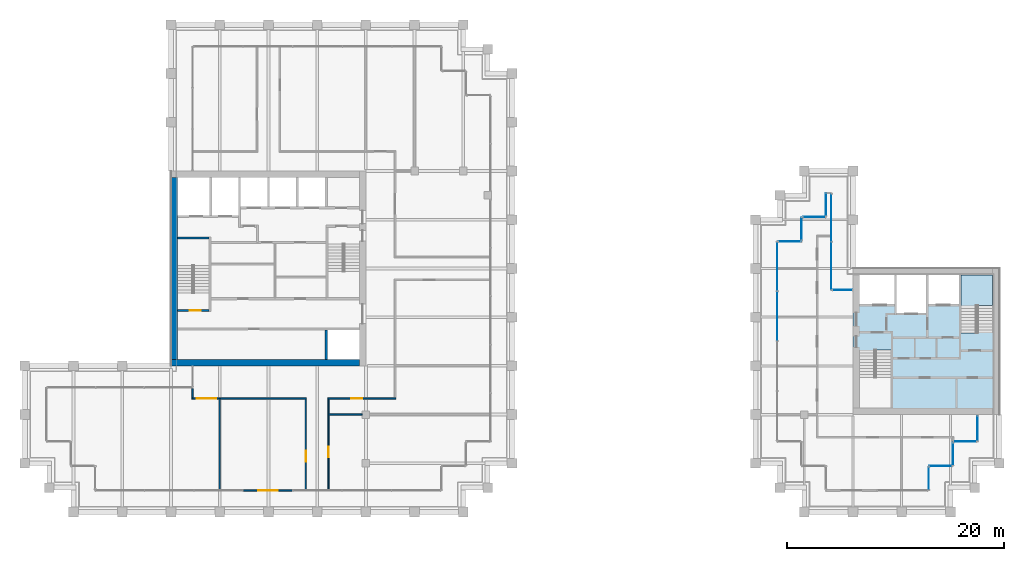
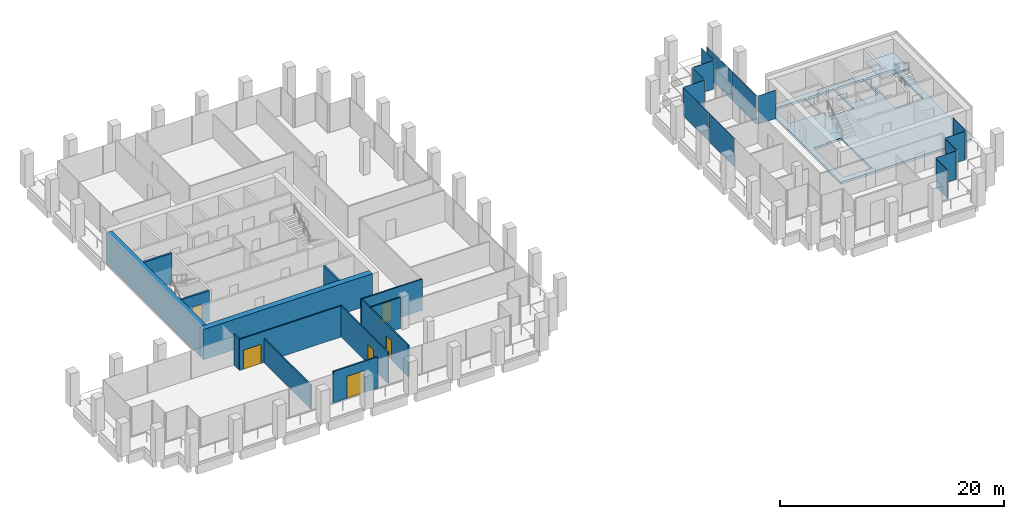
# One storey, part 35 of 40: 14 plates, 13 walls, 6 doors, 2 slabs, 6 openings, 13 elements without a shape of their own.
"""IFC4 building model written with IfcOpenShell, lengths in metres."""

import ifcopenshell
import ifcopenshell.guid

model = None  # the IFC model being written
_history = None  # IfcOwnerHistory: only IFC2X3 demands one
_inside = {}  # id of a spatial element -> (the spatial element, [elements in it])
_under = {}  # id of a project, library or spatial element -> (it, [spatial elements below it])
_declared = {}  # id of a project -> (the project, [libraries it declares])
_typed = {}  # id of a type object -> (the type object, [elements of that type])
_made_of = {}  # id of a material, layer set ... -> (it, [elements and type objects made of it])


def new_model(schema):
    """Start an empty IFC model of exactly this schema.

    Asked for "IFC4X3", IfcOpenShell would pick the latest addendum, in which some entities
    have other attributes; the version numbers below select the first issue.
    IFC2X3 requires an IfcOwnerHistory on every rooted entity: one is made here for all.
    """
    global model, _history
    if schema == "IFC4X3":
        model = ifcopenshell.file(schema_version=(4, 3, 0, 0))
    else:
        model = ifcopenshell.file(schema=schema)
    _inside.clear()
    _under.clear()
    _declared.clear()
    _typed.clear()
    _made_of.clear()
    _history = None
    if model.schema == "IFC2X3":
        org = make("IfcOrganization", Name="unknown")
        user = make(
            "IfcPersonAndOrganization",
            ThePerson=make("IfcPerson", FamilyName="unknown"),
            TheOrganization=org,
        )
        app = make(
            "IfcApplication",
            ApplicationDeveloper=org,
            Version="unknown",
            ApplicationFullName="unknown",
            ApplicationIdentifier="unknown",
        )
        _history = make(
            "IfcOwnerHistory",
            OwningUser=user,
            OwningApplication=app,
            ChangeAction="ADDED",
            CreationDate=0,
        )
    return model


def make(cls, **values):
    """One entity of the class cls with the attributes given. An attribute that is None is left unset."""
    return model.create_entity(
        cls, **{name: value for name, value in values.items() if value is not None}
    )


def rooted(cls, **values):
    """An entity with a GlobalId (a new one), such as an element, a storey or a relation."""
    return make(cls, GlobalId=ifcopenshell.guid.new(), OwnerHistory=_history, **values)


def si_unit(unit_type, name, prefix=None):
    """IfcSIUnit, for example si_unit("LENGTHUNIT", "METRE", prefix="MILLI")."""
    return make("IfcSIUnit", UnitType=unit_type, Prefix=prefix, Name=name)


def assignment(units):
    """IfcUnitAssignment: the units of a project."""
    return None if units is None else make("IfcUnitAssignment", Units=units)


def point(xyz):
    """IfcCartesianPoint."""
    return None if xyz is None else make("IfcCartesianPoint", Coordinates=xyz)


def direction(xyz):
    """IfcDirection."""
    return None if xyz is None else make("IfcDirection", DirectionRatios=xyz)


def frame(location, z_axis=None, x_axis=None):
    """IfcAxis2Placement3D, a coordinate frame: its origin and axes. An axis left out is left unset."""
    return make(
        "IfcAxis2Placement3D",
        Location=point(location),
        Axis=direction(z_axis),
        RefDirection=direction(x_axis),
    )


def frame_2d(location, x_axis=None):
    """IfcAxis2Placement2D, a coordinate frame in the plane: its origin and x axis."""
    return make(
        "IfcAxis2Placement2D", Location=point(location), RefDirection=direction(x_axis)
    )


def origin():
    """The frame at (0, 0, 0) with its axes left unset."""
    return frame((0.0, 0.0, 0.0))


def origin_2d():
    """The frame at (0, 0) in the plane with its x axis left unset."""
    return frame_2d((0.0, 0.0))


def place(relative_to, where):
    """IfcLocalPlacement: puts the frame where relative to a parent placement (None: the world)."""
    return make(
        "IfcLocalPlacement", PlacementRelTo=relative_to, RelativePlacement=where
    )


def context(
    kind, dimensions, precision=None, world=None, true_north=None, identifier=None
):
    """IfcGeometricRepresentationContext, for example the 3D "Model" context."""
    return make(
        "IfcGeometricRepresentationContext",
        ContextIdentifier=identifier,
        ContextType=kind,
        CoordinateSpaceDimension=dimensions,
        Precision=precision,
        WorldCoordinateSystem=world,
        TrueNorth=true_north,
    )


def subcontext(parent, identifier, kind, view, scale=None):
    """IfcGeometricRepresentationSubContext, for example "Body" below "Model"."""
    return make(
        "IfcGeometricRepresentationSubContext",
        ContextIdentifier=identifier,
        ContextType=kind,
        ParentContext=parent,
        TargetScale=scale,
        TargetView=view,
    )


def project(units=None, contexts=None):
    """IfcProject with its units and contexts."""
    return rooted(
        "IfcProject",
        Name="project",
        RepresentationContexts=contexts,
        UnitsInContext=assignment(units),
    )


def spatial(cls, under=None, at=None, **own):
    """A site, building, storey or space (cls), placed at a placement, below another one or the project."""
    s = rooted(cls, ObjectPlacement=at, **own)
    if under is not None:
        _under.setdefault(under.id(), (under, []))[1].append(s)
    return s


def polyline(points):
    """IfcPolyline through the points."""
    return make("IfcPolyline", Points=[point(p) for p in points])


def profile(cls, at=None, kind="AREA", **sizes):
    """A parametric profile (cls). Its sizes go by their IFC names, for example OverallWidth=200.0."""
    return make(cls, ProfileType=kind, Position=at, **sizes)


def rectangle(**sizes):
    """IfcRectangleProfileDef."""
    return profile("IfcRectangleProfileDef", **sizes)


def outline(outer, holes=None, kind="AREA"):
    """IfcArbitraryClosedProfileDef: a profile drawn as a closed curve; with holes, ...WithVoids."""
    if holes is None:
        return make("IfcArbitraryClosedProfileDef", ProfileType=kind, OuterCurve=outer)
    return make(
        "IfcArbitraryProfileDefWithVoids",
        ProfileType=kind,
        OuterCurve=outer,
        InnerCurves=holes,
    )


def extrude(swept, where, along, depth):
    """IfcExtrudedAreaSolid: the profile swept, set in the frame where, extruded along a direction by depth."""
    return make(
        "IfcExtrudedAreaSolid",
        SweptArea=swept,
        Position=where,
        ExtrudedDirection=direction(along),
        Depth=depth,
    )


def shape(context_of_items, identifier, shape_type, items):
    """IfcShapeRepresentation: the items that make up one representation, for example the "Body"."""
    return make(
        "IfcShapeRepresentation",
        ContextOfItems=context_of_items,
        RepresentationIdentifier=identifier,
        RepresentationType=shape_type,
        Items=items,
    )


def material(Name=None, Category=None):
    """IfcMaterial."""
    return make("IfcMaterial", Name=Name, Category=Category)


def layer(
    of_material, thickness, ventilated=None, Name=None, Category=None, Priority=None
):
    """IfcMaterialLayer: one layer of a wall or slab, of a material (None: an air gap)."""
    return make(
        "IfcMaterialLayer",
        Material=of_material,
        LayerThickness=thickness,
        IsVentilated=ventilated,
        Name=Name,
        Category=Category,
        Priority=Priority,
    )


def layer_set(layers, Name=None):
    """IfcMaterialLayerSet."""
    return make("IfcMaterialLayerSet", MaterialLayers=layers, LayerSetName=Name)


def made_of(thing, what):
    """Note that an element or type object is made of a material, layer set ...; save() writes the relation."""
    if what is not None:
        _made_of.setdefault(what.id(), (what, []))[1].append(thing)
    return thing


def type_object(cls, material=None, **own):
    """A type object (cls), such as IfcWallType, which elements share."""
    return made_of(rooted(cls, **own), material)


def element(
    cls,
    number,
    at=None,
    inside=None,
    cuts=None,
    type_object=None,
    material=None,
    context=None,
    identifier="Body",
    shape_type=None,
    held_by="IfcProductDefinitionShape",
    body=None,
    shapes=None,
    **own,
):
    """One element of the class cls, such as IfcWall. Its Tag is "e" and its number.

    at: its placement. inside: the storey or other place that contains it. cuts: it is an
    opening in that element (IfcRelVoidsElement). A single representation is given by context,
    identifier, shape_type and body (its items); several are given by shapes. held_by: the class
    of the entity that holds the representations. save() writes the other relations.
    """
    e = rooted(cls, Tag="e%d" % number, ObjectPlacement=at, **own)
    if body is not None:
        shapes = [shape(context, identifier, shape_type, body)]
    if shapes is not None:
        e.Representation = make(held_by, Representations=shapes)
    if inside is not None:
        _inside.setdefault(inside.id(), (inside, []))[1].append(e)
    if cuts is not None:
        rooted(
            "IfcRelVoidsElement", RelatingBuildingElement=cuts, RelatedOpeningElement=e
        )
    if type_object is not None:
        _typed.setdefault(type_object.id(), (type_object, []))[1].append(e)
    return made_of(e, material)


def fill(opening, filler):
    """IfcRelFillsElement: the door or window that sits in an opening."""
    return rooted(
        "IfcRelFillsElement",
        RelatingOpeningElement=opening,
        RelatedBuildingElement=filler,
    )


def aggregate(whole, parts):
    """IfcRelAggregates: a whole, such as a stair, and the parts it consists of."""
    return rooted("IfcRelAggregates", RelatingObject=whole, RelatedObjects=parts)


def save(model, path):
    """Write the relations noted so far, then the file.

    IfcRelAggregates (storeys below a building ...), IfcRelContainedInSpatialStructure (elements
    in a storey), IfcRelDefinesByType, IfcRelAssociatesMaterial and IfcRelDeclares: one each for
    every whole, place, type object, material and project.
    """
    for whole, parts in _under.values():
        aggregate(whole, parts)
    for where, things in _inside.values():
        rooted(
            "IfcRelContainedInSpatialStructure",
            RelatedElements=things,
            RelatingStructure=where,
        )
    for kind, things in _typed.values():
        rooted("IfcRelDefinesByType", RelatedObjects=things, RelatingType=kind)
    for what, things in _made_of.values():
        rooted("IfcRelAssociatesMaterial", RelatedObjects=things, RelatingMaterial=what)
    for by, libraries in _declared.values():
        rooted("IfcRelDeclares", RelatingContext=by, RelatedDefinitions=libraries)
    model.write(path)


model = new_model("IFC4")

# Units and contexts
model_context = context("Model", 3, precision=1e-05, world=origin(), true_north=direction((0.0, 1.0)))
body_context = subcontext(model_context, "Body", "Model", "MODEL_VIEW")
ifc_project = project(units=[si_unit("LENGTHUNIT", "METRE"), si_unit("AREAUNIT", "SQUARE_METRE"), si_unit("VOLUMEUNIT", "CUBIC_METRE"), si_unit("PLANEANGLEUNIT", "RADIAN"), si_unit("MASSUNIT", "GRAM", prefix="KILO")], contexts=[model_context])

# Site, building, storey
site_placement = place(None, origin())
site = spatial("IfcSite", under=ifc_project, at=site_placement, CompositionType="ELEMENT")
building_placement = place(site_placement, origin())
building = spatial("IfcBuilding", under=site, at=building_placement, Name="Altepetl Exchange Towers", CompositionType="ELEMENT")
storey_placement = place(building_placement, frame((0.0, 0.0, 187.0)))
storey = spatial("IfcBuildingStorey", under=building, at=storey_placement, Name="L47", CompositionType="ELEMENT", Elevation=187.0)

# Slab
ifc_material_1 = material(Name="Concrete C40/50", Category="concrete")
ifc_layer_1 = layer(ifc_material_1, 0.25)
ifc_layer_set_1 = layer_set([ifc_layer_1], Name="Concrete C40/50")
slab_type_1 = type_object("IfcSlabType", Name="Core floor slab 250", PredefinedType="FLOOR", material=ifc_layer_set_1)
slab_1_placement = place(storey_placement, frame((0.0, 0.0, -0.25)))
element("IfcSlab", 1, at=slab_1_placement, inside=storey, type_object=slab_type_1, Name="slab:B:L47:core0", PredefinedType="FLOOR", context=body_context, shape_type="SweptSolid", body=[
    extrude(outline(polyline([(103.5, 36.0), (117.0, 36.0), (117.0, 49.5), (103.5, 49.5), (103.5, 36.0)]), holes=[polyline([(107.0, 36.60009765625), (104.10009765625, 36.60009765625), (104.10009765625, 41.85009765625), (105.5, 41.85009765625), (105.5, 41.948974609375), (107.0, 41.948974609375), (107.0, 36.60009765625)]), polyline([(113.5, 48.89990234375), (116.39990234375, 48.89990234375), (116.39990234375, 43.64990234375), (115.0, 43.64990234375), (115.0, 43.551025390625), (113.5, 43.551025390625), (113.5, 48.89990234375)]), polyline([(107.532958984375, 45.39990234375), (107.532958984375, 48.89990234375), (110.26708984375, 48.89990234375), (110.26708984375, 45.39990234375), (107.532958984375, 45.39990234375)]), polyline([(104.10009765625, 48.89990234375), (107.3330078125, 48.89990234375), (107.3330078125, 46.199951171875), (104.10009765625, 46.199951171875), (104.10009765625, 48.89990234375)]), polyline([(110.467041015625, 48.89990234375), (113.300048828125, 48.89990234375), (113.300048828125, 46.199951171875), (110.467041015625, 46.199951171875), (110.467041015625, 48.89990234375)])]), origin(), (0.0, 0.0, 1.0), 0.25),
])

# Curtain wall, plate
ifc_material_2 = material(Name="Aluminium 6063-T6 glazing", Category="aluminium")
curtain_wall_type = type_object("IfcCurtainWallType", Name="Loggia glazing system", PredefinedType="NOTDEFINED", material=ifc_material_2)
curtain_wall_1_placement = place(storey_placement, origin())
curtain_wall_1 = element("IfcCurtainWall", 2, at=curtain_wall_1_placement, inside=storey, type_object=curtain_wall_type, Name="CW1 run", PredefinedType="NOTDEFINED")
ifc_material_3 = material(Name="Glass 6-16-6 low emissivity", Category="glass")
ifc_layer_2 = layer(ifc_material_3, 0.028076171875)
ifc_layer_set_2 = layer_set([ifc_layer_2], Name="Glass 6-16-6 low emissivity")
plate_type = type_object("IfcPlateType", Name="Glass panel 28 double glazed", PredefinedType="CURTAIN_PANEL", material=ifc_layer_set_2)
plate_1_placement = place(storey_placement, frame((110.5, 30.08740234375, 0.0), z_axis=(0.0, 0.0, 1.0), x_axis=(0.0, 1.0, 0.0)))
plate_1 = element("IfcPlate", 3, at=plate_1_placement, type_object=plate_type, Name="GP1 panel", PredefinedType="CURTAIN_PANEL", context=body_context, shape_type="SweptSolid", body=[
    extrude(rectangle(XDim=2.054931640625, YDim=0.028076171875, at=origin_2d()), origin(), (0.0, 0.0, 1.0), 3.10009765625),
])
aggregate(curtain_wall_1, [plate_1])

curtain_wall_2_placement = place(storey_placement, origin())
curtain_wall_2 = element("IfcCurtainWall", 4, at=curtain_wall_2_placement, inside=storey, type_object=curtain_wall_type, Name="CW1 run", PredefinedType="NOTDEFINED")
plate_2_placement = place(storey_placement, frame((111.58740234375, 31.25, 0.0)))
plate_2 = element("IfcPlate", 5, at=plate_2_placement, type_object=plate_type, Name="GP1 panel", PredefinedType="CURTAIN_PANEL", context=body_context, shape_type="SweptSolid", body=[
    extrude(rectangle(XDim=2.054931640625, YDim=0.028076171875, at=origin_2d()), origin(), (0.0, 0.0, 1.0), 3.10009765625),
])
aggregate(curtain_wall_2, [plate_2])

curtain_wall_3_placement = place(storey_placement, origin())
curtain_wall_3 = element("IfcCurtainWall", 6, at=curtain_wall_3_placement, inside=storey, type_object=curtain_wall_type, Name="CW1 run", PredefinedType="NOTDEFINED")
plate_3_placement = place(storey_placement, frame((112.75, 32.33740234375, 0.0), z_axis=(0.0, 0.0, 1.0), x_axis=(0.0, 1.0, 0.0)))
plate_3 = element("IfcPlate", 7, at=plate_3_placement, type_object=plate_type, Name="GP1 panel", PredefinedType="CURTAIN_PANEL", context=body_context, shape_type="SweptSolid", body=[
    extrude(rectangle(XDim=2.054931640625, YDim=0.028076171875, at=origin_2d()), origin(), (0.0, 0.0, 1.0), 3.10009765625),
])
aggregate(curtain_wall_3, [plate_3])

curtain_wall_4_placement = place(storey_placement, origin())
curtain_wall_4 = element("IfcCurtainWall", 8, at=curtain_wall_4_placement, inside=storey, type_object=curtain_wall_type, Name="CW1 run", PredefinedType="NOTDEFINED")
plate_4_placement = place(storey_placement, frame((113.83740234375, 33.5, 0.0)))
plate_4 = element("IfcPlate", 9, at=plate_4_placement, type_object=plate_type, Name="GP1 panel", PredefinedType="CURTAIN_PANEL", context=body_context, shape_type="SweptSolid", body=[
    extrude(rectangle(XDim=2.054931640625, YDim=0.028076171875, at=origin_2d()), origin(), (0.0, 0.0, 1.0), 3.10009765625),
])
aggregate(curtain_wall_4, [plate_4])

curtain_wall_5_placement = place(storey_placement, origin())
curtain_wall_5 = element("IfcCurtainWall", 10, at=curtain_wall_5_placement, inside=storey, type_object=curtain_wall_type, Name="CW1 run", PredefinedType="NOTDEFINED")
plate_5_placement = place(storey_placement, frame((115.0, 34.71240234375, 0.0), z_axis=(0.0, 0.0, 1.0), x_axis=(0.0, 1.0, 0.0)))
plate_5 = element("IfcPlate", 11, at=plate_5_placement, type_object=plate_type, Name="GP1 panel", PredefinedType="CURTAIN_PANEL", context=body_context, shape_type="SweptSolid", body=[
    extrude(rectangle(XDim=2.304931640625, YDim=0.028076171875, at=origin_2d()), origin(), (0.0, 0.0, 1.0), 3.10009765625),
])
aggregate(curtain_wall_5, [plate_5])

curtain_wall_6_placement = place(storey_placement, origin())
curtain_wall_6 = element("IfcCurtainWall", 12, at=curtain_wall_6_placement, inside=storey, type_object=curtain_wall_type, Name="CW1 run", PredefinedType="NOTDEFINED")
plate_6_placement = place(storey_placement, frame((102.53759765625, 47.5, 0.0), z_axis=(0.0, 0.0, 1.0), x_axis=(-1.0, 0.0, 0.0)))
plate_6 = element("IfcPlate", 13, at=plate_6_placement, type_object=plate_type, Name="GP1 panel", PredefinedType="CURTAIN_PANEL", context=body_context, shape_type="SweptSolid", body=[
    extrude(rectangle(XDim=1.804931640625, YDim=0.028076171875, at=origin_2d()), origin(), (0.0, 0.0, 1.0), 3.10009765625),
])
aggregate(curtain_wall_6, [plate_6])

# Curtain wall, plates
curtain_wall_7_placement = place(storey_placement, origin())
curtain_wall_7 = element("IfcCurtainWall", 14, at=curtain_wall_7_placement, inside=storey, type_object=curtain_wall_type, Name="CW1 run", PredefinedType="NOTDEFINED")
plate_7_placement = place(storey_placement, frame((101.5, 49.746337890625, 0.0), z_axis=(0.0, 0.0, 1.0), x_axis=(0.0, 1.0, 0.0)))
plate_7 = element("IfcPlate", 15, at=plate_7_placement, type_object=plate_type, Name="GP1 panel", PredefinedType="CURTAIN_PANEL", context=body_context, shape_type="SweptSolid", body=[
    extrude(rectangle(XDim=4.37255859375, YDim=0.028076171875, at=origin_2d()), origin(), (0.0, 0.0, 1.0), 3.10009765625),
])
plate_8_placement = place(storey_placement, frame((101.5, 54.1787109375, 0.0), z_axis=(0.0, 0.0, 1.0), x_axis=(0.0, 1.0, 0.0)))
plate_8 = element("IfcPlate", 16, at=plate_8_placement, type_object=plate_type, Name="GP1 panel", PredefinedType="CURTAIN_PANEL", context=body_context, shape_type="SweptSolid", body=[
    extrude(rectangle(XDim=4.37255859375, YDim=0.028076171875, at=origin_2d()), origin(), (0.0, 0.0, 1.0), 3.10009765625),
])
aggregate(curtain_wall_7, [plate_7, plate_8])

# Curtain wall, plate
curtain_wall_8_placement = place(storey_placement, origin())
curtain_wall_8 = element("IfcCurtainWall", 17, at=curtain_wall_8_placement, inside=storey, type_object=curtain_wall_type, Name="CW1 run", PredefinedType="NOTDEFINED")
plate_9_placement = place(storey_placement, frame((101.0, 55.41259765625, 0.0), z_axis=(0.0, 0.0, 1.0), x_axis=(0.0, -1.0, 0.0)))
plate_9 = element("IfcPlate", 18, at=plate_9_placement, type_object=plate_type, Name="GP1 panel", PredefinedType="CURTAIN_PANEL", context=body_context, shape_type="SweptSolid", body=[
    extrude(rectangle(XDim=2.054931640625, YDim=0.028076171875, at=origin_2d()), origin(), (0.0, 0.0, 1.0), 3.10009765625),
])
aggregate(curtain_wall_8, [plate_9])

curtain_wall_9_placement = place(storey_placement, origin())
curtain_wall_9 = element("IfcCurtainWall", 19, at=curtain_wall_9_placement, inside=storey, type_object=curtain_wall_type, Name="CW1 run", PredefinedType="NOTDEFINED")
plate_10_placement = place(storey_placement, frame((99.91259765625, 54.25, 0.0), z_axis=(0.0, 0.0, 1.0), x_axis=(-1.0, 0.0, 0.0)))
plate_10 = element("IfcPlate", 20, at=plate_10_placement, type_object=plate_type, Name="GP1 panel", PredefinedType="CURTAIN_PANEL", context=body_context, shape_type="SweptSolid", body=[
    extrude(rectangle(XDim=2.054931640625, YDim=0.028076171875, at=origin_2d()), origin(), (0.0, 0.0, 1.0), 3.10009765625),
])
aggregate(curtain_wall_9, [plate_10])

curtain_wall_10_placement = place(storey_placement, origin())
curtain_wall_10 = element("IfcCurtainWall", 21, at=curtain_wall_10_placement, inside=storey, type_object=curtain_wall_type, Name="CW1 run", PredefinedType="NOTDEFINED")
plate_11_placement = place(storey_placement, frame((98.75, 53.16259765625, 0.0), z_axis=(0.0, 0.0, 1.0), x_axis=(0.0, -1.0, 0.0)))
plate_11 = element("IfcPlate", 22, at=plate_11_placement, type_object=plate_type, Name="GP1 panel", PredefinedType="CURTAIN_PANEL", context=body_context, shape_type="SweptSolid", body=[
    extrude(rectangle(XDim=2.054931640625, YDim=0.028076171875, at=origin_2d()), origin(), (0.0, 0.0, 1.0), 3.10009765625),
])
aggregate(curtain_wall_10, [plate_11])

curtain_wall_11_placement = place(storey_placement, origin())
curtain_wall_11 = element("IfcCurtainWall", 23, at=curtain_wall_11_placement, inside=storey, type_object=curtain_wall_type, Name="CW1 run", PredefinedType="NOTDEFINED")
plate_12_placement = place(storey_placement, frame((97.66259765625, 52.0, 0.0), z_axis=(0.0, 0.0, 1.0), x_axis=(-1.0, 0.0, 0.0)))
plate_12 = element("IfcPlate", 24, at=plate_12_placement, type_object=plate_type, Name="GP1 panel", PredefinedType="CURTAIN_PANEL", context=body_context, shape_type="SweptSolid", body=[
    extrude(rectangle(XDim=2.054931640625, YDim=0.028076171875, at=origin_2d()), origin(), (0.0, 0.0, 1.0), 3.10009765625),
])
aggregate(curtain_wall_11, [plate_12])

# Curtain wall, plates
curtain_wall_12_placement = place(storey_placement, origin())
curtain_wall_12 = element("IfcCurtainWall", 25, at=curtain_wall_12_placement, inside=storey, type_object=curtain_wall_type, Name="CW1 run", PredefinedType="NOTDEFINED")
plate_13_placement = place(storey_placement, frame((96.5, 49.681884765625, 0.0), z_axis=(0.0, 0.0, 1.0), x_axis=(0.0, -1.0, 0.0)))
plate_13 = element("IfcPlate", 26, at=plate_13_placement, type_object=plate_type, Name="GP1 panel", PredefinedType="CURTAIN_PANEL", context=body_context, shape_type="SweptSolid", body=[
    extrude(rectangle(XDim=4.516357421875, YDim=0.028076171875, at=origin_2d()), origin(), (0.0, 0.0, 1.0), 3.10009765625),
])
plate_14_placement = place(storey_placement, frame((96.5, 45.090576171875, 0.0), z_axis=(0.0, 0.0, 1.0), x_axis=(0.0, -1.0, 0.0)))
plate_14 = element("IfcPlate", 27, at=plate_14_placement, type_object=plate_type, Name="GP1 panel", PredefinedType="CURTAIN_PANEL", context=body_context, shape_type="SweptSolid", body=[
    extrude(rectangle(XDim=4.546142578125, YDim=0.028076171875, at=origin_2d()), origin(), (0.0, 0.0, 1.0), 3.10009765625),
])
aggregate(curtain_wall_12, [plate_13, plate_14])

# Stair, slab
stair_type = type_object("IfcStairType", Name="Exit stair 1400 flights dogleg", PredefinedType="HALF_TURN_STAIR", material=ifc_material_1)
stair_placement = place(storey_placement, origin())
stair = element("IfcStair", 28, at=stair_placement, inside=storey, type_object=stair_type, Name="Exit stair 2", PredefinedType="HALF_TURN_STAIR")
ifc_layer_3 = layer(ifc_material_1, 0.199951171875)
ifc_layer_set_3 = layer_set([ifc_layer_3], Name="Concrete C40/50")
slab_type_2 = type_object("IfcSlabType", Name="Stair landing 200 reinforced concrete", PredefinedType="LANDING", material=ifc_layer_set_3)
slab_2_placement = place(storey_placement, frame((0.0, 0.0, 1.60009765625)))
slab_2 = element("IfcSlab", 29, at=slab_2_placement, type_object=slab_type_2, Name="ST-B2e landing 1", PredefinedType="LANDING", context=body_context, shape_type="SweptSolid", body=[
    extrude(outline(polyline([(114.89990234375, 45.969970703125), (113.5, 45.969970703125), (113.5, 46.070068359375), (113.5, 48.89990234375), (116.39990234375, 48.89990234375), (116.39990234375, 46.070068359375), (116.39990234375, 46.0693359375), (115.0, 46.0693359375), (115.0, 46.070068359375), (114.89990234375, 46.070068359375), (114.89990234375, 45.969970703125)])), origin(), (0.0, 0.0, 1.0), 0.199951171875),
])
aggregate(stair, [slab_2])

# Walls
ifc_material_4 = material(Name="Concrete C70/85", Category="concrete")
ifc_layer_4 = layer(ifc_material_4, 0.60009765625)
ifc_layer_set_4 = layer_set([ifc_layer_4], Name="Concrete C70/85")
wall_type_1 = type_object("IfcWallType", Name="Core wall 600 reinforced concrete", PredefinedType="SHEAR", material=ifc_layer_set_4)
wall_1_placement = place(storey_placement, frame((40.5, 40.800048828125, 0.0)))
element("IfcWall", 30, at=wall_1_placement, inside=storey, type_object=wall_type_1, Name="wall:A:L47:K-coreS", PredefinedType="SHEAR", context=body_context, shape_type="SweptSolid", body=[
    extrude(rectangle(XDim=17.39990234375, YDim=0.60009765625, at=frame_2d((8.699951171875, 0.0))), origin(), (0.0, 0.0, 1.0), 3.300048828125),
])
ifc_layer_5 = layer(ifc_material_4, 0.60009765625)
ifc_layer_set_5 = layer_set([ifc_layer_5], Name="Concrete C70/85")
wall_type_2 = type_object("IfcWallType", Name="Core wall 600 reinforced concrete external", PredefinedType="SHEAR", material=ifc_layer_set_5)
wall_2_placement = place(storey_placement, frame((40.800048828125, 41.10009765625, 0.0), z_axis=(0.0, 0.0, 1.0), x_axis=(0.0, 1.0, 0.0)))
element("IfcWall", 31, at=wall_2_placement, inside=storey, type_object=wall_type_2, Name="wall:A:L47:K-coreW", PredefinedType="SHEAR", context=body_context, shape_type="SweptSolid", body=[
    extrude(rectangle(XDim=16.7998046875, YDim=0.60009765625, at=frame_2d((8.39990234375, 0.0))), origin(), (0.0, 0.0, 1.0), 3.300048828125),
])

# Wall, opening, door
ifc_material_5 = material(Name="Aluminium composite cladding", Category="aluminium")
ifc_layer_6 = layer(ifc_material_5, 0.14990234375)
ifc_layer_set_6 = layer_set([ifc_layer_6], Name="Aluminium composite cladding")
wall_type_3 = type_object("IfcWallType", Name="Infill wall 150 aluminium panel", PredefinedType="SOLIDWALL", material=ifc_layer_set_6)
wall_3_placement = place(storey_placement, frame((47.18212890625, 29.0, 0.0)))
wall_3 = element("IfcWall", 32, at=wall_3_placement, inside=storey, type_object=wall_type_3, Name="Loggia door bay wall", PredefinedType="SOLIDWALL", context=body_context, shape_type="SweptSolid", body=[
    extrude(rectangle(XDim=4.560791015625, YDim=0.14990234375, at=frame_2d((2.2802734375, 0.0))), origin(), (0.0, 0.0, 1.0), 3.39990234375),
])
opening_1_placement = place(wall_3_placement, frame((1.38037109375, 0.0, 0.0)))
opening_1 = element("IfcOpeningElement", 33, at=opening_1_placement, cuts=wall_3, Name="Opening L47.A90", PredefinedType="OPENING", context=body_context, shape_type="SweptSolid", body=[
    extrude(rectangle(XDim=1.800048828125, YDim=2.39990234375, at=frame_2d((0.89990234375, 1.199951171875))), frame((0.0, 0.0849609375, 0.0), z_axis=(0.0, -1.0, 0.0), x_axis=(1.0, 0.0, 0.0)), (0.0, 0.0, 1.0), 0.169921875),
])
ifc_material_6 = material(Name="Aluminium 6063-T6 and glass", Category="aluminium")
door_type_1 = type_object("IfcDoorType", Name="Glazed door pair 1800x2400", OperationType="DOUBLE_DOOR_DOUBLE_SWING", PredefinedType="NOTDEFINED", material=ifc_material_6)
door_1_placement = place(opening_1_placement, frame((1.800048828125, 0.0, 0.0), x_axis=(-1.0, 0.0, 0.0)))
door_1 = element("IfcDoor", 34, at=door_1_placement, inside=storey, type_object=door_type_1, Name="Loggia door", OperationType="DOUBLE_DOOR_DOUBLE_SWING", OverallHeight=2.39990234375, OverallWidth=1.800048828125, PredefinedType="NOTDEFINED", context=body_context, shape_type="SweptSolid", body=[
    extrude(rectangle(XDim=1.800048828125, YDim=2.39990234375, at=frame_2d((0.89990234375, 1.199951171875))), frame((0.0, 0.02490234375, 0.0), z_axis=(0.0, -1.0, 0.0), x_axis=(1.0, 0.0, 0.0)), (0.0, 0.0, 1.0), 0.050048828125),
])
fill(opening_1, door_1)

# Wall
ifc_material_7 = material(Name="Gypsum board on steel studs", Category="steel")
ifc_layer_7 = layer(ifc_material_7, 0.125)
ifc_layer_set_7 = layer_set([ifc_layer_7], Name="Gypsum board on steel studs")
wall_type_4 = type_object("IfcWallType", Name="Partition 125 gypsum board on steel studs", PredefinedType="PARTITIONING", material=ifc_layer_set_7)
wall_4_placement = place(storey_placement, frame((55.050048828125, 36.0, 0.0)))
element("IfcWall", 35, at=wall_4_placement, inside=storey, type_object=wall_type_4, Name="wall:A:L47:P01", PredefinedType="PARTITIONING", context=body_context, shape_type="SweptSolid", body=[
    extrude(rectangle(XDim=3.099853515625, YDim=0.125, at=frame_2d((1.5498046875, 0.0))), origin(), (0.0, 0.0, 1.0), 3.39990234375),
])

# Wall, opening, door
wall_5_placement = place(storey_placement, frame((42.4375, 37.5, 0.0)))
wall_5 = element("IfcWall", 36, at=wall_5_placement, inside=storey, type_object=wall_type_4, Name="wall:A:L47:P03", PredefinedType="PARTITIONING", context=body_context, shape_type="SweptSolid", body=[
    extrude(rectangle(XDim=10.574951171875, YDim=0.125, at=frame_2d((5.28759765625, 0.0))), origin(), (0.0, 0.0, 1.0), 3.39990234375),
])
opening_2_placement = place(wall_5_placement, frame((0.429443359375, 0.0, 0.0)))
opening_2 = element("IfcOpeningElement", 37, at=opening_2_placement, cuts=wall_5, Name="Opening L47.A03", PredefinedType="OPENING", context=body_context, shape_type="SweptSolid", body=[
    extrude(rectangle(XDim=1.800048828125, YDim=2.10009765625, at=frame_2d((0.89990234375, 1.050048828125))), frame((0.0, 0.072509765625, 0.0), z_axis=(0.0, -1.0, 0.0), x_axis=(1.0, 0.0, 0.0)), (0.0, 0.0, 1.0), 0.14501953125),
])
ifc_material_8 = material(Name="Steel and timber fire door", Category="steel")
door_type_2 = type_object("IfcDoorType", Name="Fire door 1800 x 2100 double leaf", OperationType="DOUBLE_DOOR_SINGLE_SWING", PredefinedType="DOOR", material=ifc_material_8)
door_2_placement = place(opening_2_placement, frame((1.800048828125, 0.0, 0.0), x_axis=(-1.0, 0.0, 0.0)))
door_2 = element("IfcDoor", 38, at=door_2_placement, inside=storey, type_object=door_type_2, Name="door:A:L47:03", OperationType="DOUBLE_DOOR_SINGLE_SWING", OverallHeight=2.10009765625, OverallWidth=1.800048828125, PredefinedType="DOOR", context=body_context, shape_type="SweptSolid", body=[
    extrude(rectangle(XDim=1.800048828125, YDim=2.10009765625, at=frame_2d((0.89990234375, 1.050048828125))), frame((0.0, 0.02490234375, 0.0), z_axis=(0.0, -1.0, 0.0), x_axis=(1.0, 0.0, 0.0)), (0.0, 0.0, 1.0), 0.050048828125),
])
fill(opening_2, door_2)

wall_6_placement = place(storey_placement, frame((54.987548828125, 37.5, 0.0)))
wall_6 = element("IfcWall", 39, at=wall_6_placement, inside=storey, type_object=wall_type_4, Name="wall:A:L47:P04", PredefinedType="PARTITIONING", context=body_context, shape_type="SweptSolid", body=[
    extrude(rectangle(XDim=6.27490234375, YDim=0.125, at=frame_2d((3.137451171875, 0.0))), origin(), (0.0, 0.0, 1.0), 3.39990234375),
])
opening_3_placement = place(wall_6_placement, frame((2.16259765625, 0.0, 0.0)))
opening_3 = element("IfcOpeningElement", 40, at=opening_3_placement, cuts=wall_6, Name="Opening L47.A04", PredefinedType="OPENING", context=body_context, shape_type="SweptSolid", body=[
    extrude(rectangle(XDim=1.0, YDim=2.10009765625, at=frame_2d((0.5, 1.050048828125))), frame((0.0, 0.072509765625, 0.0), z_axis=(0.0, -1.0, 0.0), x_axis=(1.0, 0.0, 0.0)), (0.0, 0.0, 1.0), 0.14501953125),
])
door_type_3 = type_object("IfcDoorType", Name="Fire door 1000 x 2100 single leaf", OperationType="SINGLE_SWING_LEFT", PredefinedType="DOOR", material=ifc_material_8)
door_3_placement = place(opening_3_placement, origin())
door_3 = element("IfcDoor", 41, at=door_3_placement, inside=storey, type_object=door_type_3, Name="door:A:L47:04", OperationType="SINGLE_SWING_LEFT", OverallHeight=2.10009765625, OverallWidth=1.0, PredefinedType="DOOR", context=body_context, shape_type="SweptSolid", body=[
    extrude(rectangle(XDim=1.0, YDim=2.10009765625, at=frame_2d((0.5, 1.050048828125))), frame((0.0, 0.02490234375, 0.0), z_axis=(0.0, -1.0, 0.0), x_axis=(1.0, 0.0, 0.0)), (0.0, 0.0, 1.0), 0.050048828125),
])
fill(opening_3, door_3)

# Walls
wall_7_placement = place(storey_placement, frame((42.5, 37.5625, 0.0), z_axis=(0.0, 0.0, 1.0), x_axis=(0.0, 1.0, 0.0)))
element("IfcWall", 42, at=wall_7_placement, inside=storey, type_object=wall_type_4, Name="wall:A:L47:P11", PredefinedType="PARTITIONING", context=body_context, shape_type="SweptSolid", body=[
    extrude(rectangle(XDim=0.83740234375, YDim=0.125, at=frame_2d((0.418701171875, 0.0))), origin(), (0.0, 0.0, 1.0), 3.39990234375),
])
wall_8_placement = place(storey_placement, frame((45.0, 29.10009765625, 0.0), z_axis=(0.0, 0.0, 1.0), x_axis=(0.0, 1.0, 0.0)))
element("IfcWall", 43, at=wall_8_placement, inside=storey, type_object=wall_type_4, Name="wall:A:L47:P12", PredefinedType="PARTITIONING", context=body_context, shape_type="SweptSolid", body=[
    extrude(rectangle(XDim=8.39990234375, YDim=0.125, at=frame_2d((4.199951171875, 0.0))), origin(), (0.0, 0.0, 1.0), 2.6259765625),
])

# Wall, opening, door
wall_9_placement = place(storey_placement, frame((52.949951171875, 29.10009765625, 0.0), z_axis=(0.0, 0.0, 1.0), x_axis=(0.0, 1.0, 0.0)))
wall_9 = element("IfcWall", 44, at=wall_9_placement, inside=storey, type_object=wall_type_4, Name="wall:A:L47:P15", PredefinedType="PARTITIONING", context=body_context, shape_type="SweptSolid", body=[
    extrude(rectangle(XDim=8.33740234375, YDim=0.125, at=frame_2d((4.168701171875, 0.0))), origin(), (0.0, 0.0, 1.0), 3.39990234375),
])
opening_4_placement = place(wall_9_placement, frame((2.56201171875, 0.0, 0.0)))
opening_4 = element("IfcOpeningElement", 45, at=opening_4_placement, cuts=wall_9, Name="Opening L47.A02", PredefinedType="OPENING", context=body_context, shape_type="SweptSolid", body=[
    extrude(rectangle(XDim=1.0, YDim=2.10009765625, at=frame_2d((0.5, 1.050048828125))), frame((0.0, 0.072509765625, 0.0), z_axis=(0.0, -1.0, 0.0), x_axis=(1.0, 0.0, 0.0)), (0.0, 0.0, 1.0), 0.14501953125),
])
door_4_placement = place(opening_4_placement, origin())
door_4 = element("IfcDoor", 46, at=door_4_placement, inside=storey, type_object=door_type_3, Name="door:A:L47:02", OperationType="SINGLE_SWING_RIGHT", OverallHeight=2.10009765625, OverallWidth=1.0, PredefinedType="DOOR", context=body_context, shape_type="SweptSolid", body=[
    extrude(rectangle(XDim=1.0, YDim=2.10009765625, at=frame_2d((0.5, 1.050048828125))), frame((0.0, 0.02490234375, 0.0), z_axis=(0.0, -1.0, 0.0), x_axis=(1.0, 0.0, 0.0)), (0.0, 0.0, 1.0), 0.050048828125),
])
fill(opening_4, door_4)

wall_10_placement = place(storey_placement, frame((55.050048828125, 29.10009765625, 0.0), z_axis=(0.0, 0.0, 1.0), x_axis=(0.0, 1.0, 0.0)))
wall_10 = element("IfcWall", 47, at=wall_10_placement, inside=storey, type_object=wall_type_4, Name="wall:A:L47:P16", PredefinedType="PARTITIONING", context=body_context, shape_type="SweptSolid", body=[
    extrude(rectangle(XDim=8.33740234375, YDim=0.125, at=frame_2d((4.168701171875, 0.0))), origin(), (0.0, 0.0, 1.0), 3.39990234375),
])
opening_5_placement = place(wall_10_placement, frame((2.949951171875, 0.0, 0.0)))
opening_5 = element("IfcOpeningElement", 48, at=opening_5_placement, cuts=wall_10, Name="Opening L47.A01", PredefinedType="OPENING", context=body_context, shape_type="SweptSolid", body=[
    extrude(rectangle(XDim=1.0, YDim=2.10009765625, at=frame_2d((0.5, 1.050048828125))), frame((0.0, 0.072509765625, 0.0), z_axis=(0.0, -1.0, 0.0), x_axis=(1.0, 0.0, 0.0)), (0.0, 0.0, 1.0), 0.14501953125),
])
door_5_placement = place(opening_5_placement, frame((1.0, 0.0, 0.0), x_axis=(-1.0, 0.0, 0.0)))
door_5 = element("IfcDoor", 49, at=door_5_placement, inside=storey, type_object=door_type_3, Name="door:A:L47:01", OperationType="SINGLE_SWING_LEFT", OverallHeight=2.10009765625, OverallWidth=1.0, PredefinedType="DOOR", context=body_context, shape_type="SweptSolid", body=[
    extrude(rectangle(XDim=1.0, YDim=2.10009765625, at=frame_2d((0.5, 1.050048828125))), frame((0.0, 0.02490234375, 0.0), z_axis=(0.0, -1.0, 0.0), x_axis=(1.0, 0.0, 0.0)), (0.0, 0.0, 1.0), 0.050048828125),
])
fill(opening_5, door_5)

# Walls
ifc_layer_8 = layer(ifc_material_1, 0.199951171875)
ifc_layer_set_8 = layer_set([ifc_layer_8], Name="Concrete C40/50")
wall_type_5 = type_object("IfcWallType", Name="Shaft wall 200 reinforced concrete", PredefinedType="SHEAR", material=ifc_layer_set_8)
wall_11_placement = place(storey_placement, frame((54.833251953125, 41.10009765625, 0.0), z_axis=(0.0, 0.0, 1.0), x_axis=(0.0, 1.0, 0.0)))
element("IfcWall", 50, at=wall_11_placement, inside=storey, type_object=wall_type_5, Name="wall:A:L47:K-divS5", PredefinedType="SHEAR", context=body_context, shape_type="SweptSolid", body=[
    extrude(rectangle(XDim=2.699951171875, YDim=0.199951171875, at=frame_2d((1.35009765625, 0.0))), origin(), (0.0, 0.0, 1.0), 3.300048828125),
])
ifc_layer_9 = layer(ifc_material_1, 0.199951171875)
ifc_layer_set_9 = layer_set([ifc_layer_9], Name="Concrete C40/50")
wall_type_6 = type_object("IfcWallType", Name="Stair wall 200 reinforced concrete", PredefinedType="SHEAR", material=ifc_layer_set_9)
wall_12_placement = place(storey_placement, frame((41.10009765625, 52.300048828125, 0.0)))
element("IfcWall", 51, at=wall_12_placement, inside=storey, type_object=wall_type_6, Name="wall:A:L47:K-stS1N", PredefinedType="SHEAR", context=body_context, shape_type="SweptSolid", body=[
    extrude(rectangle(XDim=2.89990234375, YDim=0.199951171875, at=frame_2d((1.449951171875, 0.0))), origin(), (0.0, 0.0, 1.0), 3.300048828125),
])

# Wall, opening, door
wall_13_placement = place(storey_placement, frame((41.10009765625, 45.60009765625, 0.0)))
wall_13 = element("IfcWall", 52, at=wall_13_placement, inside=storey, type_object=wall_type_6, Name="wall:A:L47:K-stS1S", PredefinedType="SHEAR", context=body_context, shape_type="SweptSolid", body=[
    extrude(rectangle(XDim=2.89990234375, YDim=0.199951171875, at=frame_2d((1.449951171875, 0.0))), origin(), (0.0, 0.0, 1.0), 3.300048828125),
])
opening_6_placement = place(wall_13_placement, frame((1.14990234375, 0.0, 0.0)))
opening_6 = element("IfcOpeningElement", 53, at=opening_6_placement, cuts=wall_13, Name="Opening L47.A62", PredefinedType="OPENING", context=body_context, shape_type="SweptSolid", body=[
    extrude(rectangle(XDim=1.0, YDim=2.10009765625, at=frame_2d((0.5, 1.050048828125))), frame((0.0, 0.10986328125, 0.0), z_axis=(0.0, -1.0, 0.0), x_axis=(1.0, 0.0, 0.0)), (0.0, 0.0, 1.0), 0.219970703125),
])
door_type_4 = type_object("IfcDoorType", Name="Fire door 1000 x 2100 stair and lobby", OperationType="SINGLE_SWING_LEFT", PredefinedType="DOOR", material=ifc_material_8)
door_6_placement = place(opening_6_placement, origin())
door_6 = element("IfcDoor", 54, at=door_6_placement, inside=storey, type_object=door_type_4, Name="door:A:L47:K-dS1in", OperationType="SINGLE_SWING_RIGHT", OverallHeight=2.10009765625, OverallWidth=1.0, PredefinedType="DOOR", context=body_context, shape_type="SweptSolid", body=[
    extrude(rectangle(XDim=1.0, YDim=2.10009765625, at=frame_2d((0.5, 1.050048828125))), frame((0.0, 0.02490234375, 0.0), z_axis=(0.0, -1.0, 0.0), x_axis=(1.0, 0.0, 0.0)), (0.0, 0.0, 1.0), 0.050048828125),
])
fill(opening_6, door_6)

save(model, "model.ifc")
